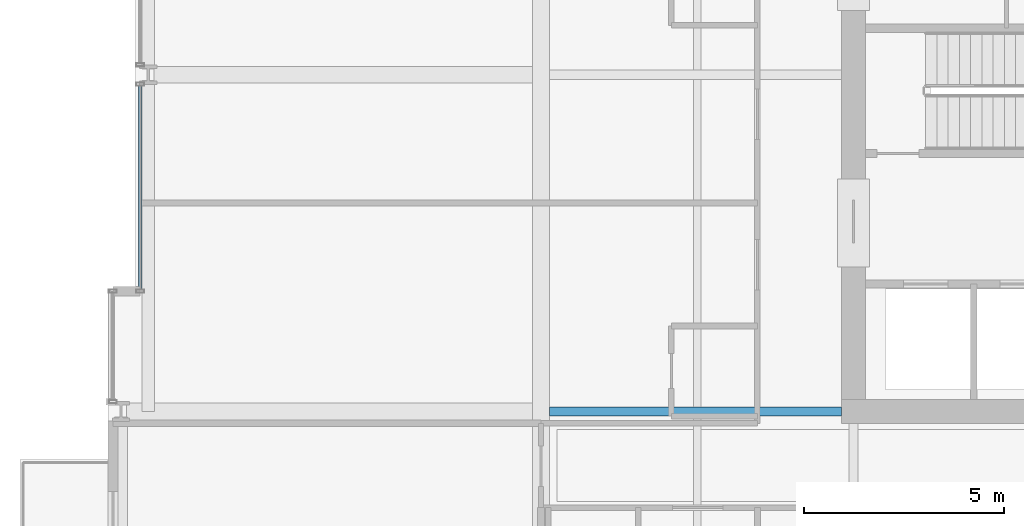
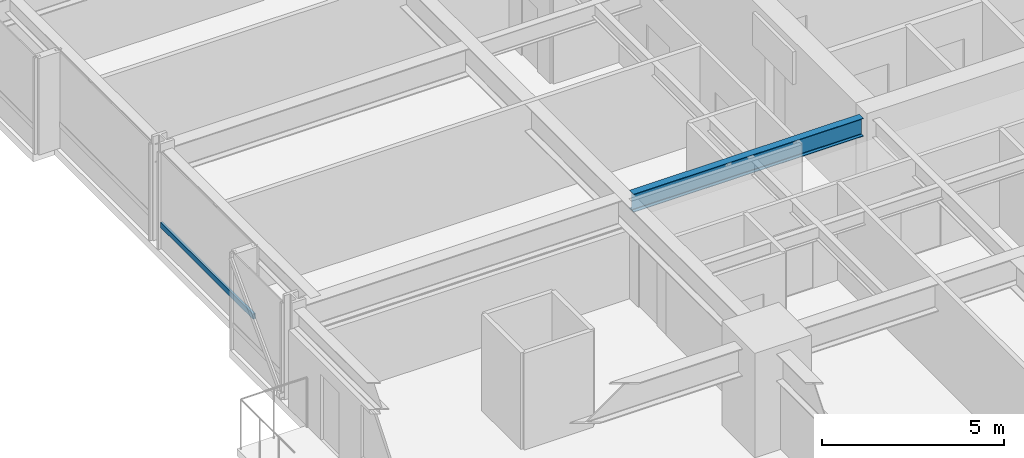
# One storey, part 8 of 39: 1 beam, 1 member, 1 element without a shape of its own.
"""IFC4 building model written with IfcOpenShell, lengths in metres."""

from ifc_helpers import new_model, si_unit, direction, frame, origin, origin_2d, place, context, subcontext, project, spatial, hollow_rectangle, i_section, extrude, material, layer, layer_set, material_profile, profile_set, type_object, element, aggregate, save


model = new_model("IFC4")

# Units and contexts
model_context = context("Model", 3, precision=1e-05, world=origin(), true_north=direction((0.0, 1.0)))
body_context = subcontext(model_context, "Body", "Model", "MODEL_VIEW")
ifc_project = project(units=[si_unit("LENGTHUNIT", "METRE"), si_unit("AREAUNIT", "SQUARE_METRE"), si_unit("VOLUMEUNIT", "CUBIC_METRE"), si_unit("PLANEANGLEUNIT", "RADIAN"), si_unit("MASSUNIT", "GRAM", prefix="KILO")], contexts=[model_context])

# Site, building, storey
site_placement = place(None, origin())
site = spatial("IfcSite", under=ifc_project, at=site_placement, CompositionType="ELEMENT")
building_placement = place(site_placement, origin())
building = spatial("IfcBuilding", under=site, at=building_placement, Name="Drelvath Grand Hotel", CompositionType="ELEMENT")
storey_placement = place(building_placement, frame((0.0, 0.0, 54.199951171875)))
storey = spatial("IfcBuildingStorey", under=building, at=storey_placement, Name="L12", CompositionType="ELEMENT", Elevation=54.199951171875)

# Curtain wall, member
ifc_material_1 = material(Name="Warm Bronze Anodised Aluminium Frame", Category="aluminium")
ifc_layer = layer(ifc_material_1, 0.199951171875)
ifc_layer_set = layer_set([ifc_layer], Name="Warm Bronze Anodised Aluminium Frame")
curtain_wall_type = type_object("IfcCurtainWallType", Name="Stick Curtain Wall CW-02 Warm Bronze Low-Rise", PredefinedType="NOTDEFINED", material=ifc_layer_set)
curtain_wall_placement = place(storey_placement, origin())
curtain_wall = element("IfcCurtainWall", 1, at=curtain_wall_placement, inside=storey, type_object=curtain_wall_type, Name="L12 CW-02 Curtain Wall CW02-L12-WM1", PredefinedType="NOTDEFINED")
ifc_material_profile_1 = material_profile(ifc_material_1, hollow_rectangle(XDim=0.074951171875, YDim=0.179931640625, WallThickness=0.0048828125, at=origin_2d()), Name="HSS180X75X5")
ifc_profile_set_1 = profile_set([ifc_material_profile_1], Name="Warm Bronze Anodised Aluminium Frame")
member_type = type_object("IfcMemberType", Name="Curtain Wall Horizontal Transom CW-02 HSS180X75X5", PredefinedType="USERDEFINED", material=ifc_profile_set_1)
member_placement = place(storey_placement, frame((-26.199951171875, 21.639892578125, 0.81005859375), z_axis=(0.0, 1.0, 0.0), x_axis=(-1.0, 0.0, 0.0)))
member = element("IfcMember", 2, at=member_placement, type_object=member_type, Name="CW02-L12-WM1 Sill Transom", ObjectType="TRANSOM", PredefinedType="USERDEFINED", context=body_context, shape_type="SweptSolid", body=[
    extrude(hollow_rectangle(XDim=0.074951171875, YDim=0.179931640625, WallThickness=0.0048828125, at=origin_2d()), origin(), (0.0, 0.0, 1.0), 5.0791015625),
])
aggregate(curtain_wall, [member])

# Beam
ifc_material_2 = material(Name="Steel ASTM A992 Gr 50", Category="steel")
ifc_material_profile_2 = material_profile(ifc_material_2, i_section(OverallWidth=0.228271484375, OverallDepth=0.607666015625, WebThickness=0.01123046875, FlangeThickness=0.017333984375, FilletRadius=0.02001953125, at=origin_2d()), Name="W24X76")
ifc_profile_set_2 = profile_set([ifc_material_profile_2], Name="Steel ASTM A992 Gr 50")
beam_type = type_object("IfcBeamType", Name="Primary Floor Girder W24X76", PredefinedType="BEAM", material=ifc_profile_set_2)
beam_placement = place(storey_placement, frame((-15.99072265625, 18.60009765625, 2.936279296875), z_axis=(1.0, 0.0, 0.0), x_axis=(0.0, 1.0, 0.0)))
element("IfcBeam", 3, at=beam_placement, inside=storey, type_object=beam_type, Name="L12 West Core Tie D", PredefinedType="BEAM", context=body_context, shape_type="SweptSolid", body=[
    extrude(i_section(OverallWidth=0.228271484375, OverallDepth=0.607666015625, WebThickness=0.01123046875, FlangeThickness=0.017333984375, FilletRadius=0.02001953125, at=origin_2d()), origin(), (0.0, 0.0, 1.0), 7.290771484375),
])

save(model, "model.ifc")
